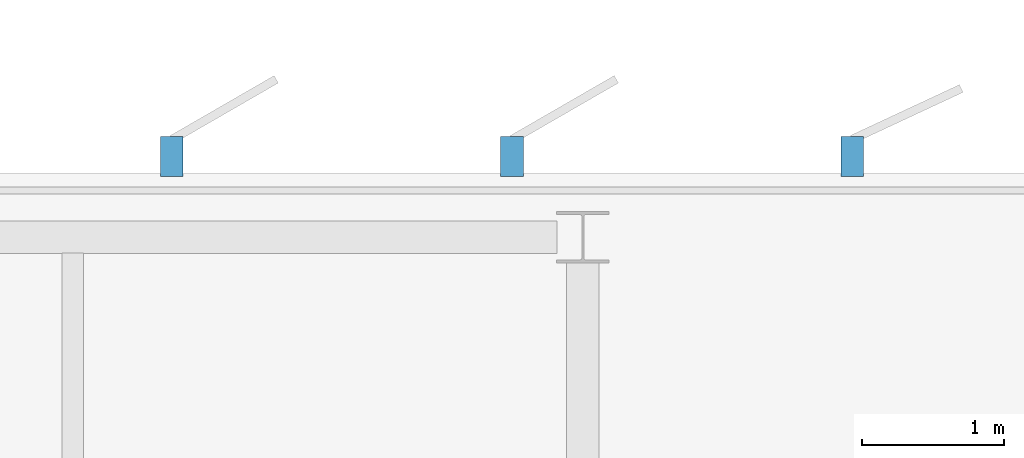
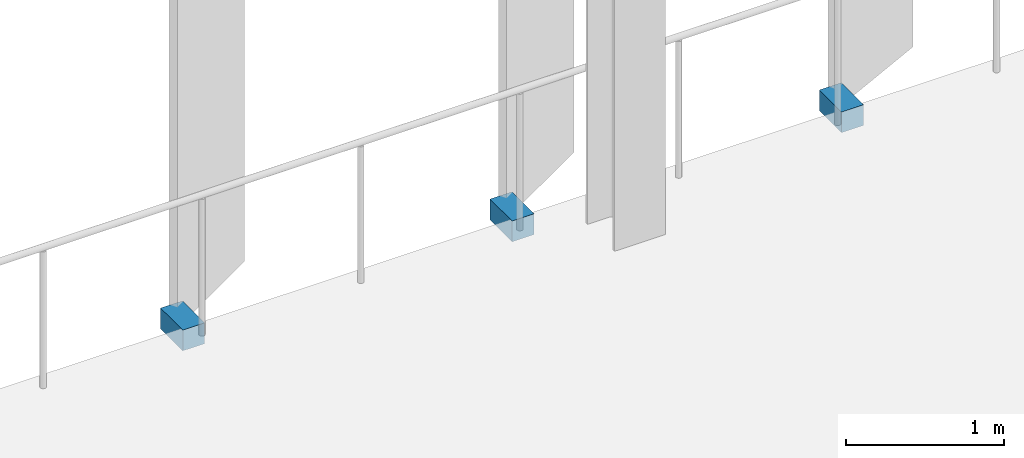
# One storey, part 60 of 80: 3 discrete accessories.
"""IFC4 building model written with IfcOpenShell, lengths in metres."""

from ifc_helpers import new_model, si_unit, direction, frame, origin, origin_2d, place, context, subcontext, project, spatial, rectangle, extrude, material, type_object, element, save


model = new_model("IFC4")

# Units and contexts
model_context = context("Model", 3, precision=1e-05, world=origin(), true_north=direction((0.0, 1.0)))
body_context = subcontext(model_context, "Body", "Model", "MODEL_VIEW")
ifc_project = project(units=[si_unit("LENGTHUNIT", "METRE"), si_unit("AREAUNIT", "SQUARE_METRE"), si_unit("VOLUMEUNIT", "CUBIC_METRE"), si_unit("PLANEANGLEUNIT", "RADIAN"), si_unit("MASSUNIT", "GRAM", prefix="KILO")], contexts=[model_context])

# Site, building, storey
site_placement = place(None, origin())
site = spatial("IfcSite", under=ifc_project, at=site_placement, CompositionType="ELEMENT")
building_placement = place(site_placement, origin())
building = spatial("IfcBuilding", under=site, at=building_placement, Name="Vaelcorin Mobility Hub", CompositionType="ELEMENT")
storey_placement = place(building_placement, frame((0.0, 0.0, 9.300048828125)))
storey = spatial("IfcBuildingStorey", under=building, at=storey_placement, Name="L02", CompositionType="ELEMENT", Elevation=9.300048828125)

# Discrete accessories
ifc_material = material(Name="Galvanised structural steel ASTM A36", Category="steel")
discrete_accessory_type = type_object("IfcDiscreteAccessoryType", Name="ACC-BRK-FIN", PredefinedType="BRACKET", material=ifc_material)
for number, where, z_axis, x_axis, name in (
    (1, (127.89990234375, 120.570068359375, -0.16015625), (0.0, 0.0, 1.0), (0.0, 1.0, 0.0), "Aerofoil Outrigger Bracket FIN-V2E-L02-N-BK-02"),
    (2, (130.300048828125, 120.570068359375, -0.16015625), (0.0, 0.0, 1.0), (0.0, 1.0, 0.0), "Aerofoil Outrigger Bracket FIN-V2E-L02-N-BK-03"),
    (3, (132.699951171875, 120.570068359375, -0.16015625), (0.0, 0.0, 1.0), (0.0, 1.0, 0.0), "Aerofoil Outrigger Bracket FIN-V2E-L02-N-BK-04"),
):
    element("IfcDiscreteAccessory", number, at=place(storey_placement, frame(where, z_axis=z_axis, x_axis=x_axis)), inside=storey, type_object=discrete_accessory_type, Name=name, PredefinedType="BRACKET", context=body_context, shape_type="SweptSolid", body=[
        extrude(rectangle(XDim=0.280029296875, YDim=0.159912109375, at=origin_2d()), origin(), (0.0, 0.0, 1.0), 0.159912109375),
    ])

save(model, "model.ifc")
